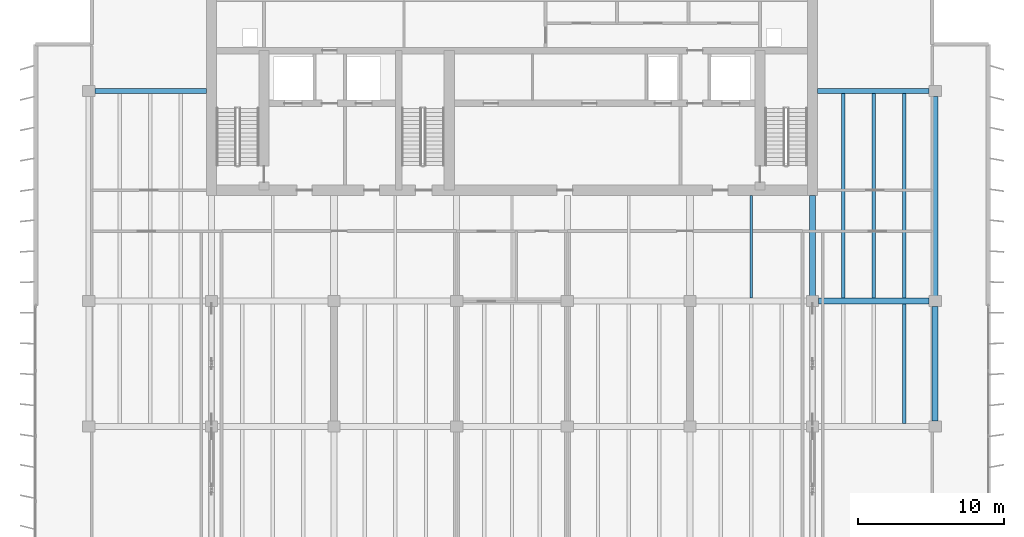
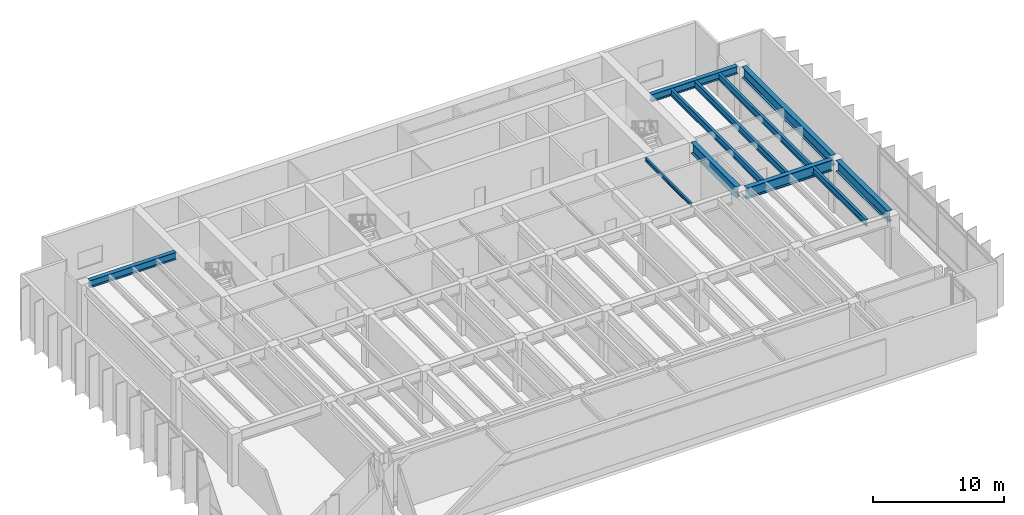
# One storey, part 9 of 23: 11 beams.
"""IFC4 building model written with IfcOpenShell, lengths in metres."""

from ifc_helpers import new_model, si_unit, direction, frame, origin, origin_2d, place, context, subcontext, project, spatial, i_section, extrude, material, material_profile, profile_set, type_object, element, save


model = new_model("IFC4")

# Units and contexts
model_context = context("Model", 3, precision=1e-05, world=origin(), true_north=direction((0.0, 1.0)))
body_context = subcontext(model_context, "Body", "Model", "MODEL_VIEW")
ifc_project = project(units=[si_unit("LENGTHUNIT", "METRE"), si_unit("AREAUNIT", "SQUARE_METRE"), si_unit("VOLUMEUNIT", "CUBIC_METRE"), si_unit("PLANEANGLEUNIT", "RADIAN"), si_unit("MASSUNIT", "GRAM", prefix="KILO")], contexts=[model_context])

# Site, building, storey
site_placement = place(None, origin())
site = spatial("IfcSite", under=ifc_project, at=site_placement, CompositionType="ELEMENT")
building_placement = place(site_placement, origin())
building = spatial("IfcBuilding", under=site, at=building_placement, Name="Caelmar Bay Residences", CompositionType="ELEMENT")
storey_placement = place(building_placement, frame((0.0, 0.0, 221.39990234375)))
storey = spatial("IfcBuildingStorey", under=building, at=storey_placement, Name="L62", CompositionType="ELEMENT", Elevation=221.39990234375)

# Beams
ifc_material = material(Name="Steel ASTM A992 Grade 50", Category="steel")
ifc_material_profile_1 = material_profile(ifc_material, i_section(OverallWidth=0.404052734375, OverallDepth=1.02099609375, WebThickness=0.025390625, FlangeThickness=0.0458984375, FilletRadius=0.02294921875, at=origin_2d()), Name="W40X324")
ifc_profile_set_1 = profile_set([ifc_material_profile_1], Name="Steel ASTM A992 Grade 50")
beam_type_1 = type_object("IfcBeamType", Name="BM-GRD-W40X324", PredefinedType="BEAM", material=ifc_profile_set_1)
beam_1_placement = place(storey_placement, frame((59.9150390625, 29.39990234375, 4.339599609375), z_axis=(1.0, 0.0, 0.0), x_axis=(0.0, 1.0, 0.0)))
element("IfcBeam", 1, at=beam_1_placement, inside=storey, type_object=beam_type_1, Name="L62 East-West Girder Y=29.40 (59.5-67.9)", PredefinedType="BEAM", context=body_context, shape_type="SweptSolid", body=[
    extrude(i_section(OverallWidth=0.404052734375, OverallDepth=1.02099609375, WebThickness=0.025390625, FlangeThickness=0.0458984375, FilletRadius=0.02294921875, at=origin_2d()), origin(), (0.0, 0.0, 1.0), 7.570068359375),
])
beam_2_placement = place(storey_placement, frame((59.5, 29.764892578125, 4.339599609375), z_axis=(0.0, 1.0, 0.0), x_axis=(-1.0, 0.0, 0.0)))
element("IfcBeam", 2, at=beam_2_placement, inside=storey, type_object=beam_type_1, Name="L62 Core Tie Girder X=59.50", PredefinedType="BEAM", context=body_context, shape_type="SweptSolid", body=[
    extrude(i_section(OverallWidth=0.404052734375, OverallDepth=1.02099609375, WebThickness=0.025390625, FlangeThickness=0.0458984375, FilletRadius=0.02294921875, at=origin_2d()), origin(), (0.0, 0.0, 1.0), 6.885009765625),
])
beam_3_placement = place(storey_placement, frame((67.89990234375, 21.1650390625, 4.339599609375), z_axis=(0.0, 1.0, 0.0), x_axis=(-1.0, 0.0, 0.0)))
element("IfcBeam", 3, at=beam_3_placement, inside=storey, type_object=beam_type_1, Name="L62 North-South Girder X=67.90 (20.8-29.4)", PredefinedType="BEAM", context=body_context, shape_type="SweptSolid", body=[
    extrude(i_section(OverallWidth=0.404052734375, OverallDepth=1.02099609375, WebThickness=0.025390625, FlangeThickness=0.0458984375, FilletRadius=0.02294921875, at=origin_2d()), origin(), (0.0, 0.0, 1.0), 7.869873046875),
])
beam_4_placement = place(storey_placement, frame((67.89990234375, 29.764892578125, 4.339599609375), z_axis=(0.0, 1.0, 0.0), x_axis=(-1.0, 0.0, 0.0)))
element("IfcBeam", 4, at=beam_4_placement, inside=storey, type_object=beam_type_1, Name="L62 North-South Girder X=67.90 (29.4-43.8)", PredefinedType="BEAM", context=body_context, shape_type="SweptSolid", body=[
    extrude(i_section(OverallWidth=0.404052734375, OverallDepth=1.02099609375, WebThickness=0.025390625, FlangeThickness=0.0458984375, FilletRadius=0.02294921875, at=origin_2d()), origin(), (0.0, 0.0, 1.0), 13.670166015625),
])
ifc_material_profile_2 = material_profile(ifc_material, i_section(OverallWidth=0.1650390625, OverallDepth=0.31005859375, WebThickness=0.005859375, FlangeThickness=0.009765625, FilletRadius=0.007568359375, at=origin_2d()), Name="W12X26")
ifc_profile_set_2 = profile_set([ifc_material_profile_2], Name="Steel ASTM A992 Grade 50")
beam_type_2 = type_object("IfcBeamType", Name="BM-JST-W12X26", PredefinedType="JOIST", material=ifc_profile_set_2)
beam_5_placement = place(storey_placement, frame((55.300048828125, 29.60205078125, 4.695068359375), z_axis=(0.0, 1.0, 0.0), x_axis=(-1.0, 0.0, 0.0)))
element("IfcBeam", 5, at=beam_5_placement, inside=storey, type_object=beam_type_2, Name="L62 Core-Band Composite Joist 41", PredefinedType="JOIST", context=body_context, shape_type="SweptSolid", body=[
    extrude(i_section(OverallWidth=0.1650390625, OverallDepth=0.31005859375, WebThickness=0.005859375, FlangeThickness=0.009765625, FilletRadius=0.007568359375, at=origin_2d()), origin(), (0.0, 0.0, 1.0), 7.0478515625),
])
ifc_material_profile_3 = material_profile(ifc_material, i_section(OverallWidth=0.22900390625, OverallDepth=0.612060546875, WebThickness=0.011962890625, FlangeThickness=0.01953125, FilletRadius=0.0126953125, at=origin_2d()), Name="W24X84")
ifc_profile_set_3 = profile_set([ifc_material_profile_3], Name="Steel ASTM A992 Grade 50")
beam_type_3 = type_object("IfcBeamType", Name="BM-JST-W24X84", PredefinedType="JOIST", material=ifc_profile_set_3)
beam_6_placement = place(storey_placement, frame((65.800048828125, 21.001953125, 4.544189453125), z_axis=(0.0, 1.0, 0.0), x_axis=(-1.0, 0.0, 0.0)))
element("IfcBeam", 6, at=beam_6_placement, inside=storey, type_object=beam_type_3, Name="L62 Composite Floor Joist 36", PredefinedType="JOIST", context=body_context, shape_type="SweptSolid", body=[
    extrude(i_section(OverallWidth=0.22900390625, OverallDepth=0.612060546875, WebThickness=0.011962890625, FlangeThickness=0.01953125, FilletRadius=0.0126953125, at=origin_2d()), origin(), (0.0, 0.0, 1.0), 8.196044921875),
])
for number, where, z_axis, x_axis, name in (
    (7, (61.60009765625, 29.60205078125, 4.544189453125), (0.0, 1.0, 0.0), (-1.0, 0.0, 0.0), "L62 Composite Floor Joist 45"),
    (8, (63.699951171875, 29.60205078125, 4.544189453125), (0.0, 1.0, 0.0), (-1.0, 0.0, 0.0), "L62 Composite Floor Joist 46"),
    (9, (65.800048828125, 29.60205078125, 4.544189453125), (0.0, 1.0, 0.0), (-1.0, 0.0, 0.0), "L62 Composite Floor Joist 47"),
):
    element("IfcBeam", number, at=place(storey_placement, frame(where, z_axis=z_axis, x_axis=x_axis)), inside=storey, type_object=beam_type_3, Name=name, PredefinedType="JOIST", context=body_context, shape_type="SweptSolid", body=[
        extrude(i_section(OverallWidth=0.22900390625, OverallDepth=0.612060546875, WebThickness=0.011962890625, FlangeThickness=0.01953125, FilletRadius=0.0126953125, at=origin_2d()), origin(), (0.0, 0.0, 1.0), 14.02001953125),
    ])
ifc_material_profile_4 = material_profile(ifc_material, i_section(OverallWidth=0.35595703125, OverallDepth=0.696044921875, WebThickness=0.015380859375, FlangeThickness=0.02490234375, FilletRadius=0.01513671875, at=origin_2d()), Name="W27X146")
ifc_profile_set_4 = profile_set([ifc_material_profile_4], Name="Steel ASTM A992 Grade 50")
beam_type_4 = type_object("IfcBeamType", Name="BM-SPN-W27X146", PredefinedType="SPANDREL", material=ifc_profile_set_4)
for number, where, z_axis, x_axis, name in (
    (10, (10.31494140625, 43.800048828125, 4.502197265625), (1.0, 0.0, 0.0), (0.0, 1.0, 0.0), "L62 North-West Wing Core Tie Girder"),
    (11, (59.85009765625, 43.800048828125, 4.502197265625), (1.0, 0.0, 0.0), (0.0, 1.0, 0.0), "L62 North-East Wing Core Tie Girder"),
):
    element("IfcBeam", number, at=place(storey_placement, frame(where, z_axis=z_axis, x_axis=x_axis)), inside=storey, type_object=beam_type_4, Name=name, PredefinedType="SPANDREL", context=body_context, shape_type="SweptSolid", body=[
        extrude(i_section(OverallWidth=0.35595703125, OverallDepth=0.696044921875, WebThickness=0.015380859375, FlangeThickness=0.02490234375, FilletRadius=0.01513671875, at=origin_2d()), origin(), (0.0, 0.0, 1.0), 7.635009765625),
    ])

save(model, "model.ifc")
